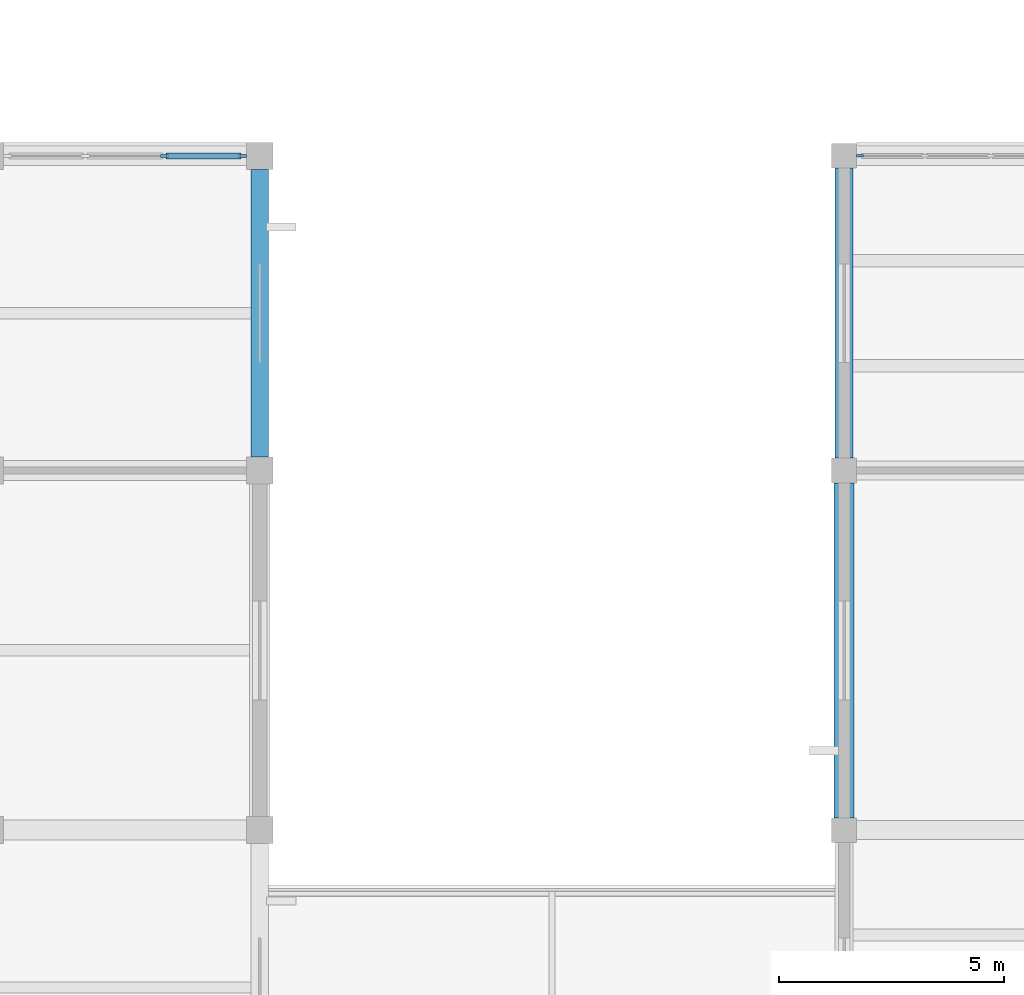
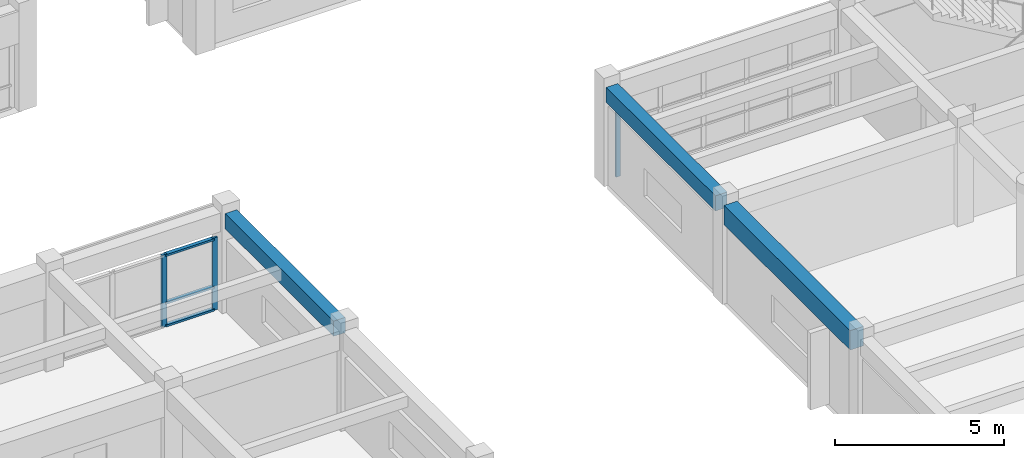
# One storey, part 9 of 66: 6 members, 3 beams, 2 elements without a shape of their own.
"""IFC4 building model written with IfcOpenShell, lengths in metres."""

from ifc_helpers import new_model, si_unit, direction, frame, origin, origin_2d, place, context, subcontext, project, spatial, rectangle, extrude, material, layer, layer_set, material_profile, profile_set, type_object, element, aggregate, save


model = new_model("IFC4")

# Units and contexts
model_context = context("Model", 3, precision=1e-05, world=origin(), true_north=direction((0.0, 1.0)))
body_context = subcontext(model_context, "Body", "Model", "MODEL_VIEW")
ifc_project = project(units=[si_unit("LENGTHUNIT", "METRE"), si_unit("AREAUNIT", "SQUARE_METRE"), si_unit("VOLUMEUNIT", "CUBIC_METRE"), si_unit("PLANEANGLEUNIT", "RADIAN"), si_unit("MASSUNIT", "GRAM", prefix="KILO")], contexts=[model_context])

# Site, building, storey
site_placement = place(None, origin())
site = spatial("IfcSite", under=ifc_project, at=site_placement, CompositionType="ELEMENT")
building_placement = place(site_placement, origin())
building = spatial("IfcBuilding", under=site, at=building_placement, Name="Naurynzar Civic Courthouse", CompositionType="ELEMENT")
storey_placement = place(building_placement, frame((0.0, 0.0, 14.39990234375)))
storey = spatial("IfcBuildingStorey", under=building, at=storey_placement, Name="L04", CompositionType="ELEMENT", Elevation=14.39990234375)

# Beams
ifc_material_1 = material(Name="Concrete C40/50", Category="concrete")
ifc_material_profile_1 = material_profile(ifc_material_1, rectangle(XDim=0.39990234375, YDim=0.550048828125, at=origin_2d()), Name="RCB 400x550")
ifc_profile_set_1 = profile_set([ifc_material_profile_1], Name="Concrete C40/50")
beam_type_1 = type_object("IfcBeamType", Name="BM-RC-400x550", PredefinedType="BEAM", material=ifc_profile_set_1)
beam_1_placement = place(storey_placement, frame((69.0, 25.27490234375, 3.28515625), z_axis=(0.0, 1.0, 0.0), x_axis=(-1.0, 0.0, 0.0)))
element("IfcBeam", 1, at=beam_1_placement, inside=storey, type_object=beam_type_1, Name="V3 girder Y-1522 L04", PredefinedType="BEAM", context=body_context, shape_type="SweptSolid", body=[
    extrude(rectangle(XDim=0.39990234375, YDim=0.550048828125, at=origin_2d()), origin(), (0.0, 0.0, 1.0), 6.4501953125),
])
beam_2_placement = place(storey_placement, frame((56.0, 25.300048828125, 3.30517578125), z_axis=(0.0, 1.0, 0.0), x_axis=(-1.0, 0.0, 0.0)))
element("IfcBeam", 2, at=beam_2_placement, inside=storey, type_object=beam_type_1, Name="V4 girder Y-1957 L04", PredefinedType="BEAM", context=body_context, shape_type="SweptSolid", body=[
    extrude(rectangle(XDim=0.39990234375, YDim=0.550048828125, at=origin_2d()), origin(), (0.0, 0.0, 1.0), 6.39990234375),
])
ifc_material_2 = material(Name="Concrete C40/50", Category="concrete")
ifc_material_profile_2 = material_profile(ifc_material_2, rectangle(XDim=0.449951171875, YDim=0.699951171875, at=origin_2d()), Name="RCB 450x700")
ifc_profile_set_2 = profile_set([ifc_material_profile_2], Name="Concrete C40/50")
beam_type_2 = type_object("IfcBeamType", Name="BM-RC-450x700", PredefinedType="BEAM", material=ifc_profile_set_2)
beam_3_placement = place(storey_placement, frame((69.0, 17.27490234375, 3.210205078125), z_axis=(0.0, 1.0, 0.0), x_axis=(-1.0, 0.0, 0.0)))
element("IfcBeam", 3, at=beam_3_placement, inside=storey, type_object=beam_type_2, Name="V3 girder Y-1521 L04", PredefinedType="BEAM", context=body_context, shape_type="SweptSolid", body=[
    extrude(rectangle(XDim=0.449951171875, YDim=0.699951171875, at=origin_2d()), origin(), (0.0, 0.0, 1.0), 7.4501953125),
])

# Curtain wall, member
ifc_material_3 = material(Name="Aluminium 6063-T6", Category="aluminium")
ifc_layer_1 = layer(ifc_material_3, 0.179931640625)
ifc_layer_set_1 = layer_set([ifc_layer_1], Name="CW-UNIT-1500")
curtain_wall_type_1 = type_object("IfcCurtainWallType", Name="CW-UNIT-1500", PredefinedType="NOTDEFINED", material=ifc_layer_set_1)
curtain_wall_1_placement = place(storey_placement, origin())
curtain_wall_1 = element("IfcCurtainWall", 4, at=curtain_wall_1_placement, inside=storey, type_object=curtain_wall_type_1, Name="V3 unitised curtain wall 70 L04", PredefinedType="NOTDEFINED")
ifc_material_4 = material(Name="Aluminium 6063-T6", Category="aluminium")
ifc_material_profile_3 = material_profile(ifc_material_4, rectangle(XDim=0.06005859375, YDim=0.14990234375, at=origin_2d()), Name="ALU MULLION 60x150")
ifc_profile_set_3 = profile_set([ifc_material_profile_3], Name="Aluminium 6063-T6")
member_type_1 = type_object("IfcMemberType", Name="CWM-60x150", PredefinedType="MULLION", material=ifc_profile_set_3)
member_1_placement = place(storey_placement, frame((69.35498046875, 32.0, 0.0), z_axis=(0.0, 0.0, 1.0), x_axis=(0.0, 1.0, 0.0)))
member_1 = element("IfcMember", 5, at=member_1_placement, type_object=member_type_1, Name="CW-01 mullion 1", PredefinedType="MULLION", context=body_context, shape_type="SweptSolid", body=[
    extrude(rectangle(XDim=0.06005859375, YDim=0.14990234375, at=origin_2d()), origin(), (0.0, 0.0, 1.0), 2.840087890625),
])
aggregate(curtain_wall_1, [member_1])

# Curtain wall, members
ifc_material_5 = material(Name="Aluminium 6063-T6", Category="aluminium")
ifc_layer_2 = layer(ifc_material_5, 0.159912109375)
ifc_layer_set_2 = layer_set([ifc_layer_2], Name="CW-UNIT-1800")
curtain_wall_type_2 = type_object("IfcCurtainWallType", Name="CW-UNIT-1800", PredefinedType="NOTDEFINED", material=ifc_layer_set_2)
curtain_wall_2_placement = place(storey_placement, origin())
curtain_wall_2 = element("IfcCurtainWall", 6, at=curtain_wall_2_placement, inside=storey, type_object=curtain_wall_type_2, Name="V4 unitised curtain wall 82 L04", PredefinedType="NOTDEFINED")
ifc_material_6 = material(Name="Aluminium 6063-T6", Category="aluminium")
ifc_material_profile_4 = material_profile(ifc_material_6, rectangle(XDim=0.070068359375, YDim=0.179931640625, at=origin_2d()), Name="ALU MULLION 70x180")
ifc_profile_set_4 = profile_set([ifc_material_profile_4], Name="Aluminium 6063-T6")
member_type_2 = type_object("IfcMemberType", Name="CWM-70x180", PredefinedType="MULLION", material=ifc_profile_set_4)
member_2_placement = place(storey_placement, frame((53.88330078125, 32.0, 0.0), z_axis=(0.0, 0.0, 1.0), x_axis=(0.0, 1.0, 0.0)))
member_2 = element("IfcMember", 7, at=member_2_placement, type_object=member_type_2, Name="CW-02 mullion 3", PredefinedType="MULLION", context=body_context, shape_type="SweptSolid", body=[
    extrude(rectangle(XDim=0.070068359375, YDim=0.179931640625, at=origin_2d()), origin(), (0.0, 0.0, 1.0), 2.610107421875),
])
member_3_placement = place(storey_placement, frame((55.614990234375, 32.0, 0.0), z_axis=(0.0, 0.0, 1.0), x_axis=(0.0, 1.0, 0.0)))
member_3 = element("IfcMember", 8, at=member_3_placement, type_object=member_type_2, Name="CW-02 mullion 4", PredefinedType="MULLION", context=body_context, shape_type="SweptSolid", body=[
    extrude(rectangle(XDim=0.070068359375, YDim=0.179931640625, at=origin_2d()), origin(), (0.0, 0.0, 1.0), 2.610107421875),
])
ifc_material_7 = material(Name="Aluminium 6063-T6", Category="aluminium")
ifc_material_profile_5 = material_profile(ifc_material_7, rectangle(XDim=0.1298828125, YDim=0.070068359375, at=origin_2d()), Name="ALU TRANSOM 70x130")
ifc_profile_set_5 = profile_set([ifc_material_profile_5], Name="Aluminium 6063-T6")
member_type_3 = type_object("IfcMemberType", Name="CWT-70x130", PredefinedType="USERDEFINED", material=ifc_profile_set_5)
member_4_placement = place(storey_placement, frame((53.918212890625, 32.0, 0.03515625), z_axis=(1.0, 0.0, 0.0), x_axis=(0.0, 1.0, 0.0)))
member_4 = element("IfcMember", 9, at=member_4_placement, type_object=member_type_3, Name="CW-02 transom 3.1", ObjectType="TRANSOM", PredefinedType="USERDEFINED", context=body_context, shape_type="SweptSolid", body=[
    extrude(rectangle(XDim=0.1298828125, YDim=0.070068359375, at=origin_2d()), origin(), (0.0, 0.0, 1.0), 1.661865234375),
])
member_5_placement = place(storey_placement, frame((53.918212890625, 32.0, 0.85009765625), z_axis=(1.0, 0.0, 0.0), x_axis=(0.0, 1.0, 0.0)))
member_5 = element("IfcMember", 10, at=member_5_placement, type_object=member_type_3, Name="CW-02 transom 3.2", ObjectType="TRANSOM", PredefinedType="USERDEFINED", context=body_context, shape_type="SweptSolid", body=[
    extrude(rectangle(XDim=0.1298828125, YDim=0.070068359375, at=origin_2d()), origin(), (0.0, 0.0, 1.0), 1.661865234375),
])
member_6_placement = place(storey_placement, frame((53.918212890625, 32.0, 2.5751953125), z_axis=(1.0, 0.0, 0.0), x_axis=(0.0, 1.0, 0.0)))
member_6 = element("IfcMember", 11, at=member_6_placement, type_object=member_type_3, Name="CW-02 transom 3.3", ObjectType="TRANSOM", PredefinedType="USERDEFINED", context=body_context, shape_type="SweptSolid", body=[
    extrude(rectangle(XDim=0.1298828125, YDim=0.070068359375, at=origin_2d()), origin(), (0.0, 0.0, 1.0), 1.661865234375),
])
aggregate(curtain_wall_2, [member_2, member_3, member_4, member_5, member_6])

save(model, "model.ifc")
